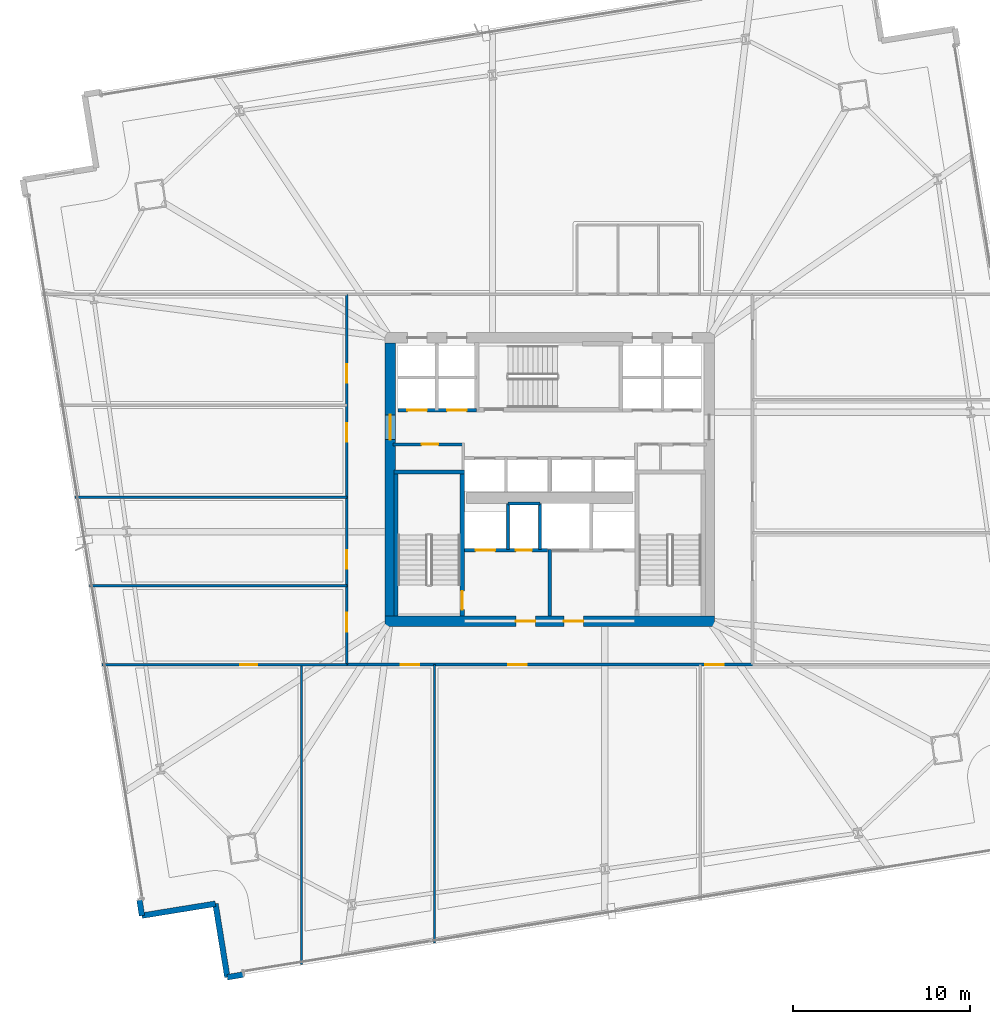
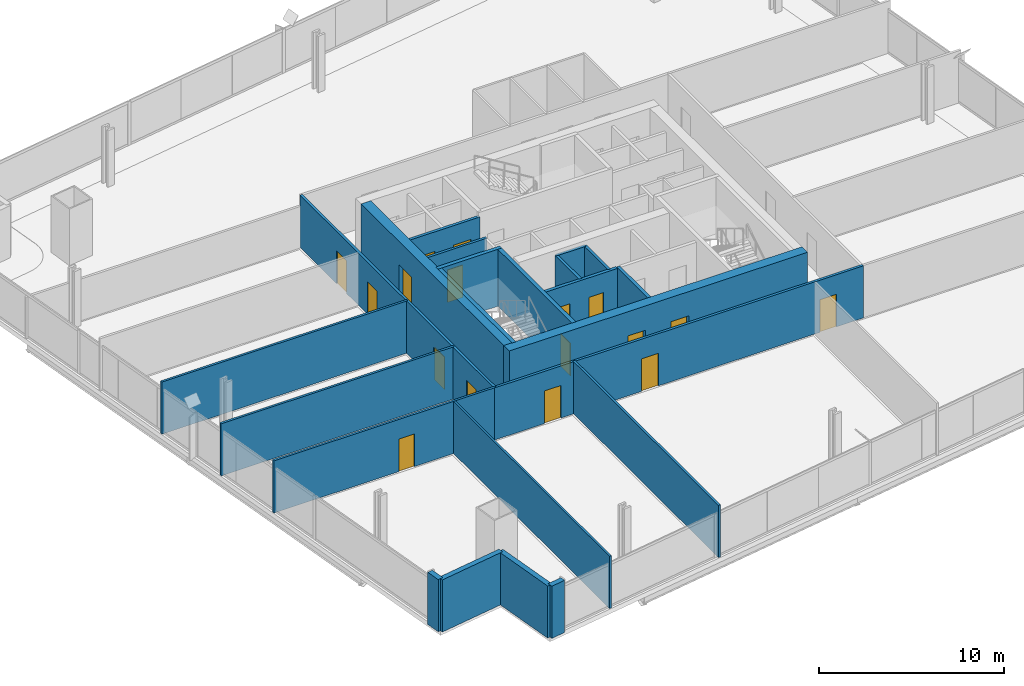
# One storey, part 25 of 33: 23 walls, 17 doors, 17 openings.
"""IFC4 building model written with IfcOpenShell, lengths in metres."""

from ifc_helpers import new_model, si_unit, direction, frame, frame_2d, origin, place, context, subcontext, project, spatial, rectangle, extrude, material, layer, layer_set, type_object, element, fill, save


model = new_model("IFC4")

# Units and contexts
model_context = context("Model", 3, precision=1e-05, world=origin(), true_north=direction((0.0, 1.0)))
body_context = subcontext(model_context, "Body", "Model", "MODEL_VIEW")
ifc_project = project(units=[si_unit("LENGTHUNIT", "METRE"), si_unit("AREAUNIT", "SQUARE_METRE"), si_unit("VOLUMEUNIT", "CUBIC_METRE"), si_unit("PLANEANGLEUNIT", "RADIAN"), si_unit("MASSUNIT", "GRAM", prefix="KILO")], contexts=[model_context])

# Site, building, storey
site_placement = place(None, origin())
site = spatial("IfcSite", under=ifc_project, at=site_placement, CompositionType="ELEMENT")
building_placement = place(site_placement, origin())
building = spatial("IfcBuilding", under=site, at=building_placement, Name="Haldenkirk Collegiate Tower", CompositionType="ELEMENT")
storey_placement = place(building_placement, frame((0.0, 0.0, 58.949951171875)))
storey = spatial("IfcBuildingStorey", under=building, at=storey_placement, Name="L13", CompositionType="ELEMENT", Elevation=58.949951171875)

# Wall, openings, doors
ifc_material_1 = material(Name="Concrete f'c 70 MPa", Category="concrete")
ifc_layer_1 = layer(ifc_material_1, 0.60009765625)
ifc_layer_set_1 = layer_set([ifc_layer_1], Name="Concrete f'c 70 MPa")
wall_type_1 = type_object("IfcWallType", Name="WL-CORE-600", PredefinedType="SHEAR", material=ifc_layer_set_1)
wall_1_placement = place(storey_placement, frame((26.699951171875, 18.0, 0.0), z_axis=(0.0, 0.0, 1.0), x_axis=(1.0, 0.0, 0.0)))
wall_1 = element("IfcWall", 1, at=wall_1_placement, inside=storey, type_object=wall_type_1, Name="L13 central core shear wall S", PredefinedType="SHEAR", context=body_context, shape_type="SweptSolid", body=[
    extrude(rectangle(XDim=18.60009765625, YDim=0.60009765625, at=frame_2d((9.300048828125, 0.0))), origin(), (0.0, 0.0, 1.0), 3.75),
])
opening_1_placement = place(wall_1_placement, frame((7.39990234375, 0.0, 0.0)))
opening_1 = element("IfcOpeningElement", 2, at=opening_1_placement, cuts=wall_1, Name="Opening D-02", PredefinedType="OPENING", context=body_context, shape_type="SweptSolid", body=[
    extrude(rectangle(XDim=1.10009765625, YDim=2.14990234375, at=frame_2d((0.550048828125, 1.074951171875))), frame((0.0, 0.31005859375, 0.0), z_axis=(0.0, -1.0, 0.0), x_axis=(1.0, 0.0, 0.0)), (0.0, 0.0, 1.0), 0.6201171875),
])
opening_2_placement = place(wall_1_placement, frame((10.10009765625, 0.0, 0.0)))
opening_2 = element("IfcOpeningElement", 3, at=opening_2_placement, cuts=wall_1, Name="Opening D-02", PredefinedType="OPENING", context=body_context, shape_type="SweptSolid", body=[
    extrude(rectangle(XDim=1.10009765625, YDim=2.14990234375, at=frame_2d((0.550048828125, 1.074951171875))), frame((0.0, 0.31005859375, 0.0), z_axis=(0.0, -1.0, 0.0), x_axis=(1.0, 0.0, 0.0)), (0.0, 0.0, 1.0), 0.6201171875),
])
ifc_material_2 = material(Name="Galvanized fire-rated hollow steel door", Category="steel")
ifc_layer_2 = layer(ifc_material_2, 0.06005859375)
ifc_layer_set_2 = layer_set([ifc_layer_2], Name="Galvanized fire-rated hollow steel door")
door_type_1 = type_object("IfcDoorType", Name="DR-STAIR-FD90-1100", OperationType="NOTDEFINED", PredefinedType="DOOR", material=ifc_layer_set_2)
door_1_placement = place(opening_1_placement, origin())
door_1 = element("IfcDoor", 4, at=door_1_placement, inside=storey, type_object=door_type_1, Name="L13 Firefighting Lobby 1 door", OperationType="SINGLE_SWING_LEFT", OverallHeight=2.14990234375, OverallWidth=1.10009765625, PredefinedType="DOOR", context=body_context, shape_type="SweptSolid", body=[
    extrude(rectangle(XDim=1.10009765625, YDim=2.14990234375, at=frame_2d((0.550048828125, 1.074951171875))), frame((0.0, 0.02490234375, 0.0), z_axis=(0.0, -1.0, 0.0), x_axis=(1.0, 0.0, 0.0)), (0.0, 0.0, 1.0), 0.050048828125),
])
fill(opening_1, door_1)
door_2_placement = place(opening_2_placement, origin())
door_2 = element("IfcDoor", 5, at=door_2_placement, inside=storey, type_object=door_type_1, Name="L13 Firefighting Lobby 2 door", OperationType="SINGLE_SWING_RIGHT", OverallHeight=2.14990234375, OverallWidth=1.10009765625, PredefinedType="DOOR", context=body_context, shape_type="SweptSolid", body=[
    extrude(rectangle(XDim=1.10009765625, YDim=2.14990234375, at=frame_2d((0.550048828125, 1.074951171875))), frame((0.0, 0.02490234375, 0.0), z_axis=(0.0, -1.0, 0.0), x_axis=(1.0, 0.0, 0.0)), (0.0, 0.0, 1.0), 0.050048828125),
])
fill(opening_2, door_2)

# Wall, opening, door
wall_2_placement = place(storey_placement, frame((27.0, 18.300048828125, 0.0), z_axis=(0.0, 0.0, 1.0), x_axis=(0.0, 1.0, 0.0)))
wall_2 = element("IfcWall", 6, at=wall_2_placement, inside=storey, type_object=wall_type_1, Name="L13 central core shear wall W", PredefinedType="SHEAR", context=body_context, shape_type="SweptSolid", body=[
    extrude(rectangle(XDim=15.39990234375, YDim=0.60009765625, at=frame_2d((7.699951171875, 0.0))), origin(), (0.0, 0.0, 1.0), 3.75),
])
opening_3_placement = place(wall_2_placement, frame((9.93994140625, 0.0, 0.0)))
opening_3 = element("IfcOpeningElement", 7, at=opening_3_placement, cuts=wall_2, Name="Opening D-03", PredefinedType="OPENING", context=body_context, shape_type="SweptSolid", body=[
    extrude(rectangle(XDim=1.39990234375, YDim=2.199951171875, at=frame_2d((0.699951171875, 1.10009765625))), frame((0.0, 0.31005859375, 0.0), z_axis=(0.0, -1.0, 0.0), x_axis=(1.0, 0.0, 0.0)), (0.0, 0.0, 1.0), 0.6201171875),
])
ifc_layer_3 = layer(ifc_material_2, 0.06005859375)
ifc_layer_set_3 = layer_set([ifc_layer_3], Name="Galvanized fire-rated hollow steel door")
door_type_2 = type_object("IfcDoorType", Name="DR-LOBBY-FD90-1400", OperationType="NOTDEFINED", PredefinedType="DOOR", material=ifc_layer_set_3)
door_3_placement = place(opening_3_placement, origin())
door_3 = element("IfcDoor", 8, at=door_3_placement, inside=storey, type_object=door_type_2, Name="L13 west lift lobby portal", OperationType="DOUBLE_DOOR_SINGLE_SWING", OverallHeight=2.199951171875, OverallWidth=1.39990234375, PredefinedType="DOOR", context=body_context, shape_type="SweptSolid", body=[
    extrude(rectangle(XDim=1.39990234375, YDim=2.199951171875, at=frame_2d((0.699951171875, 1.10009765625))), frame((0.0, 0.02490234375, 0.0), z_axis=(0.0, -1.0, 0.0), x_axis=(1.0, 0.0, 0.0)), (0.0, 0.0, 1.0), 0.050048828125),
])
fill(opening_3, door_3)

# Walls
ifc_material_3 = material(Name="Precast concrete f'c 40 MPa", Category="concrete")
ifc_layer_4 = layer(ifc_material_3, 0.320068359375)
ifc_layer_set_4 = layer_set([ifc_layer_4], Name="Precast concrete f'c 40 MPa")
wall_type_2 = type_object("IfcWallType", Name="WL-EXT-TWR-320", PredefinedType="STANDARD", material=ifc_layer_set_4)
wall_3_placement = place(storey_placement, frame((18.6962890625, -1.951171875, 0.0), z_axis=(0.0, 0.0, 1.0), x_axis=(-0.987152930745, -0.159778256721, 0.0)))
element("IfcWall", 9, at=wall_3_placement, inside=storey, type_object=wall_type_2, Name="L13 precast corner pier SR", PredefinedType="STANDARD", context=body_context, shape_type="SweptSolid", body=[
    extrude(rectangle(XDim=0.89990234375, YDim=0.320068359375, at=frame_2d((0.449951171875, 0.0))), origin(), (0.0, 0.0, 1.0), 3.43994140625),
])
wall_4_placement = place(storey_placement, frame((12.990478515625, 1.37939453125, 0.0), z_axis=(0.0, 0.0, 1.0), x_axis=(-0.160042584625, 0.987110110933, 0.0)))
element("IfcWall", 10, at=wall_4_placement, inside=storey, type_object=wall_type_2, Name="L13 precast corner pier WL", PredefinedType="STANDARD", context=body_context, shape_type="SweptSolid", body=[
    extrude(rectangle(XDim=0.900146484375, YDim=0.320068359375, at=frame_2d((0.4501953125, 0.0))), origin(), (0.0, 0.0, 1.0), 3.43994140625),
])
wall_5_placement = place(storey_placement, frame((17.13623046875, 2.051025390625, 0.0), z_axis=(0.0, 0.0, 1.0), x_axis=(-0.987130042681, -0.159919601167, 0.0)))
element("IfcWall", 11, at=wall_5_placement, inside=storey, type_object=wall_type_2, Name="L13 bronze precast notch wall 11", PredefinedType="STANDARD", context=body_context, shape_type="SweptSolid", body=[
    extrude(rectangle(XDim=4.19970703125, YDim=0.320068359375, at=frame_2d((2.099853515625, 0.0))), origin(), (0.0, 0.0, 1.0), 3.43994140625),
])
wall_6_placement = place(storey_placement, frame((17.807861328125, -2.094970703125, 0.0), z_axis=(0.0, 0.0, 1.0), x_axis=(-0.159910424973, 0.987131529222, 0.0)))
element("IfcWall", 12, at=wall_6_placement, inside=storey, type_object=wall_type_2, Name="L13 bronze precast notch wall 12", PredefinedType="STANDARD", context=body_context, shape_type="SweptSolid", body=[
    extrude(rectangle(XDim=4.199951171875, YDim=0.320068359375, at=frame_2d((2.10009765625, 0.0))), origin(), (0.0, 0.0, 1.0), 3.43994140625),
])

# Wall, opening, door
ifc_material_4 = material(Name="Acoustic fire-rated gypsum partition", Category="concrete")
ifc_layer_5 = layer(ifc_material_4, 0.159912109375)
ifc_layer_set_5 = layer_set([ifc_layer_5], Name="Acoustic fire-rated gypsum partition")
wall_type_3 = type_object("IfcWallType", Name="WL-INT-CORR-160", PredefinedType="PARTITIONING", material=ifc_layer_set_5)
wall_7_placement = place(storey_placement, frame((27.14990234375, 27.97998046875, 0.0), z_axis=(0.0, 0.0, 1.0), x_axis=(1.0, 0.0, 0.0)))
wall_7 = element("IfcWall", 13, at=wall_7_placement, inside=storey, type_object=wall_type_3, Name="L13 interior partition IW-L13-VCSW-N", PredefinedType="PARTITIONING", context=body_context, shape_type="SweptSolid", body=[
    extrude(rectangle(XDim=4.050048828125, YDim=0.159912109375, at=frame_2d((2.02490234375, 0.0))), origin(), (0.0, 0.0, 1.0), 3.43994140625),
])
opening_4_placement = place(wall_7_placement, frame((1.625, 0.0, 0.0)))
opening_4 = element("IfcOpeningElement", 14, at=opening_4_placement, cuts=wall_7, Name="Opening D-10", PredefinedType="OPENING", context=body_context, shape_type="SweptSolid", body=[
    extrude(rectangle(XDim=0.949951171875, YDim=2.14990234375, at=frame_2d((0.47509765625, 1.074951171875))), frame((0.0, 0.08984375, 0.0), z_axis=(0.0, -1.0, 0.0), x_axis=(1.0, 0.0, 0.0)), (0.0, 0.0, 1.0), 0.179931640625),
])
ifc_material_5 = material(Name="Solid-core architectural oak fire door", Category="wood")
ifc_layer_6 = layer(ifc_material_5, 0.06005859375)
ifc_layer_set_6 = layer_set([ifc_layer_6], Name="Solid-core architectural oak fire door")
door_type_3 = type_object("IfcDoorType", Name="DR-INT-FD60-950", OperationType="NOTDEFINED", PredefinedType="DOOR", material=ifc_layer_set_6)
door_4_placement = place(opening_4_placement, origin())
door_4 = element("IfcDoor", 15, at=door_4_placement, inside=storey, type_object=door_type_3, Name="L13 core tea pantry door", OperationType="SINGLE_SWING_LEFT", OverallHeight=2.14990234375, OverallWidth=0.949951171875, PredefinedType="DOOR", context=body_context, shape_type="SweptSolid", body=[
    extrude(rectangle(XDim=0.949951171875, YDim=2.14990234375, at=frame_2d((0.47509765625, 1.074951171875))), frame((0.0, 0.02490234375, 0.0), z_axis=(0.0, -1.0, 0.0), x_axis=(1.0, 0.0, 0.0)), (0.0, 0.0, 1.0), 0.050048828125),
])
fill(opening_4, door_4)

# Wall, openings, doors
wall_8_placement = place(storey_placement, frame((24.5, 15.550048828125, 0.0), z_axis=(0.0, 0.0, 1.0), x_axis=(1.0, 0.0, 0.0)))
wall_8 = element("IfcWall", 16, at=wall_8_placement, inside=storey, type_object=wall_type_3, Name="L13 interior partition IW-L13-CS", PredefinedType="PARTITIONING", context=body_context, shape_type="SweptSolid", body=[
    extrude(rectangle(XDim=23.0, YDim=0.159912109375, at=frame_2d((11.5, 0.0))), origin(), (0.0, 0.0, 1.0), 3.43994140625),
])
opening_5_placement = place(wall_8_placement, frame((3.10107421875, 0.0, 0.0)))
opening_5 = element("IfcOpeningElement", 17, at=opening_5_placement, cuts=wall_8, Name="Opening D-09", PredefinedType="OPENING", context=body_context, shape_type="SweptSolid", body=[
    extrude(rectangle(XDim=1.050048828125, YDim=2.14990234375, at=frame_2d((0.52490234375, 1.074951171875))), frame((0.0, 0.08984375, 0.0), z_axis=(0.0, -1.0, 0.0), x_axis=(1.0, 0.0, 0.0)), (0.0, 0.0, 1.0), 0.179931640625),
])
opening_6_placement = place(wall_8_placement, frame((9.155029296875, 0.0, 0.0)))
opening_6 = element("IfcOpeningElement", 18, at=opening_6_placement, cuts=wall_8, Name="Opening D-09", PredefinedType="OPENING", context=body_context, shape_type="SweptSolid", body=[
    extrude(rectangle(XDim=1.050048828125, YDim=2.14990234375, at=frame_2d((0.52490234375, 1.074951171875))), frame((0.0, 0.08984375, 0.0), z_axis=(0.0, -1.0, 0.0), x_axis=(1.0, 0.0, 0.0)), (0.0, 0.0, 1.0), 0.179931640625),
])
opening_7_placement = place(wall_8_placement, frame((20.280029296875, 0.0, 0.0)))
opening_7 = element("IfcOpeningElement", 19, at=opening_7_placement, cuts=wall_8, Name="Opening D-09", PredefinedType="OPENING", context=body_context, shape_type="SweptSolid", body=[
    extrude(rectangle(XDim=1.050048828125, YDim=2.14990234375, at=frame_2d((0.52490234375, 1.074951171875))), frame((0.0, 0.08984375, 0.0), z_axis=(0.0, -1.0, 0.0), x_axis=(1.0, 0.0, 0.0)), (0.0, 0.0, 1.0), 0.179931640625),
])
ifc_layer_7 = layer(ifc_material_5, 0.06005859375)
ifc_layer_set_7 = layer_set([ifc_layer_7], Name="Solid-core architectural oak fire door")
door_type_4 = type_object("IfcDoorType", Name="DR-INT-FD60-1050", OperationType="NOTDEFINED", PredefinedType="DOOR", material=ifc_layer_set_7)
door_5_placement = place(opening_5_placement, origin())
door_5 = element("IfcDoor", 20, at=door_5_placement, inside=storey, type_object=door_type_4, Name="L13 Student Reading Lounge 2 door", OperationType="SINGLE_SWING_RIGHT", OverallHeight=2.14990234375, OverallWidth=1.050048828125, PredefinedType="DOOR", context=body_context, shape_type="SweptSolid", body=[
    extrude(rectangle(XDim=1.050048828125, YDim=2.14990234375, at=frame_2d((0.52490234375, 1.074951171875))), frame((0.0, 0.02490234375, 0.0), z_axis=(0.0, -1.0, 0.0), x_axis=(1.0, 0.0, 0.0)), (0.0, 0.0, 1.0), 0.050048828125),
])
fill(opening_5, door_5)
door_6_placement = place(opening_6_placement, origin())
door_6 = element("IfcDoor", 21, at=door_6_placement, inside=storey, type_object=door_type_4, Name="L13 Graduate Study Lounge 3 door", OperationType="SINGLE_SWING_LEFT", OverallHeight=2.14990234375, OverallWidth=1.050048828125, PredefinedType="DOOR", context=body_context, shape_type="SweptSolid", body=[
    extrude(rectangle(XDim=1.050048828125, YDim=2.14990234375, at=frame_2d((0.52490234375, 1.074951171875))), frame((0.0, 0.02490234375, 0.0), z_axis=(0.0, -1.0, 0.0), x_axis=(1.0, 0.0, 0.0)), (0.0, 0.0, 1.0), 0.050048828125),
])
fill(opening_6, door_6)
door_7_placement = place(opening_7_placement, origin())
door_7 = element("IfcDoor", 22, at=door_7_placement, inside=storey, type_object=door_type_4, Name="L13 Faculty Club Lounge 4 door", OperationType="SINGLE_SWING_RIGHT", OverallHeight=2.14990234375, OverallWidth=1.050048828125, PredefinedType="DOOR", context=body_context, shape_type="SweptSolid", body=[
    extrude(rectangle(XDim=1.050048828125, YDim=2.14990234375, at=frame_2d((0.52490234375, 1.074951171875))), frame((0.0, 0.02490234375, 0.0), z_axis=(0.0, -1.0, 0.0), x_axis=(1.0, 0.0, 0.0)), (0.0, 0.0, 1.0), 0.050048828125),
])
fill(opening_7, door_7)

wall_9_placement = place(storey_placement, frame((24.550048828125, 15.550048828125, 0.0), z_axis=(0.0, 0.0, 1.0), x_axis=(0.0, 1.0, 0.0)))
wall_9 = element("IfcWall", 23, at=wall_9_placement, inside=storey, type_object=wall_type_3, Name="L13 interior partition IW-L13-CW", PredefinedType="PARTITIONING", context=body_context, shape_type="SweptSolid", body=[
    extrude(rectangle(XDim=20.89990234375, YDim=0.159912109375, at=frame_2d((10.449951171875, 0.0))), origin(), (0.0, 0.0, 1.0), 3.43994140625),
])
opening_8_placement = place(wall_9_placement, frame((1.865966796875, 0.0, 0.0)))
opening_8 = element("IfcOpeningElement", 24, at=opening_8_placement, cuts=wall_9, Name="Opening D-09", PredefinedType="OPENING", context=body_context, shape_type="SweptSolid", body=[
    extrude(rectangle(XDim=1.050048828125, YDim=2.14990234375, at=frame_2d((0.52490234375, 1.074951171875))), frame((0.0, 0.08984375, 0.0), z_axis=(0.0, -1.0, 0.0), x_axis=(1.0, 0.0, 0.0)), (0.0, 0.0, 1.0), 0.179931640625),
])
opening_9_placement = place(wall_9_placement, frame((5.405029296875, 0.0, 0.0)))
opening_9 = element("IfcOpeningElement", 25, at=opening_9_placement, cuts=wall_9, Name="Opening D-09", PredefinedType="OPENING", context=body_context, shape_type="SweptSolid", body=[
    extrude(rectangle(XDim=1.050048828125, YDim=2.14990234375, at=frame_2d((0.52490234375, 1.074951171875))), frame((0.0, 0.08984375, 0.0), z_axis=(0.0, -1.0, 0.0), x_axis=(1.0, 0.0, 0.0)), (0.0, 0.0, 1.0), 0.179931640625),
])
opening_10_placement = place(wall_9_placement, frame((12.5810546875, 0.0, 0.0)))
opening_10 = element("IfcOpeningElement", 26, at=opening_10_placement, cuts=wall_9, Name="Opening D-09", PredefinedType="OPENING", context=body_context, shape_type="SweptSolid", body=[
    extrude(rectangle(XDim=1.050048828125, YDim=2.14990234375, at=frame_2d((0.52490234375, 1.074951171875))), frame((0.0, 0.08984375, 0.0), z_axis=(0.0, -1.0, 0.0), x_axis=(1.0, 0.0, 0.0)), (0.0, 0.0, 1.0), 0.179931640625),
])
opening_11_placement = place(wall_9_placement, frame((15.89892578125, 0.0, 0.0)))
opening_11 = element("IfcOpeningElement", 27, at=opening_11_placement, cuts=wall_9, Name="Opening D-09", PredefinedType="OPENING", context=body_context, shape_type="SweptSolid", body=[
    extrude(rectangle(XDim=1.050048828125, YDim=2.14990234375, at=frame_2d((0.52490234375, 1.074951171875))), frame((0.0, 0.08984375, 0.0), z_axis=(0.0, -1.0, 0.0), x_axis=(1.0, 0.0, 0.0)), (0.0, 0.0, 1.0), 0.179931640625),
])
door_8_placement = place(opening_8_placement, origin())
door_8 = element("IfcDoor", 28, at=door_8_placement, inside=storey, type_object=door_type_4, Name="L13 Scholar Lounge 6 door", OperationType="SINGLE_SWING_RIGHT", OverallHeight=2.14990234375, OverallWidth=1.050048828125, PredefinedType="DOOR", context=body_context, shape_type="SweptSolid", body=[
    extrude(rectangle(XDim=1.050048828125, YDim=2.14990234375, at=frame_2d((0.52490234375, 1.074951171875))), frame((0.0, 0.02490234375, 0.0), z_axis=(0.0, -1.0, 0.0), x_axis=(1.0, 0.0, 0.0)), (0.0, 0.0, 1.0), 0.050048828125),
])
fill(opening_8, door_8)
door_9_placement = place(opening_9_placement, origin())
door_9 = element("IfcDoor", 29, at=door_9_placement, inside=storey, type_object=door_type_4, Name="L13 Collegiate Commons Lounge 7 door", OperationType="SINGLE_SWING_LEFT", OverallHeight=2.14990234375, OverallWidth=1.050048828125, PredefinedType="DOOR", context=body_context, shape_type="SweptSolid", body=[
    extrude(rectangle(XDim=1.050048828125, YDim=2.14990234375, at=frame_2d((0.52490234375, 1.074951171875))), frame((0.0, 0.02490234375, 0.0), z_axis=(0.0, -1.0, 0.0), x_axis=(1.0, 0.0, 0.0)), (0.0, 0.0, 1.0), 0.050048828125),
])
fill(opening_9, door_9)
door_10_placement = place(opening_10_placement, origin())
door_10 = element("IfcDoor", 30, at=door_10_placement, inside=storey, type_object=door_type_4, Name="L13 Student Reading Lounge 8 door", OperationType="SINGLE_SWING_RIGHT", OverallHeight=2.14990234375, OverallWidth=1.050048828125, PredefinedType="DOOR", context=body_context, shape_type="SweptSolid", body=[
    extrude(rectangle(XDim=1.050048828125, YDim=2.14990234375, at=frame_2d((0.52490234375, 1.074951171875))), frame((0.0, 0.02490234375, 0.0), z_axis=(0.0, -1.0, 0.0), x_axis=(1.0, 0.0, 0.0)), (0.0, 0.0, 1.0), 0.050048828125),
])
fill(opening_10, door_10)
door_11_placement = place(opening_11_placement, origin())
door_11 = element("IfcDoor", 31, at=door_11_placement, inside=storey, type_object=door_type_4, Name="L13 Graduate Study Lounge 9 door", OperationType="SINGLE_SWING_LEFT", OverallHeight=2.14990234375, OverallWidth=1.050048828125, PredefinedType="DOOR", context=body_context, shape_type="SweptSolid", body=[
    extrude(rectangle(XDim=1.050048828125, YDim=2.14990234375, at=frame_2d((0.52490234375, 1.074951171875))), frame((0.0, 0.02490234375, 0.0), z_axis=(0.0, -1.0, 0.0), x_axis=(1.0, 0.0, 0.0)), (0.0, 0.0, 1.0), 0.050048828125),
])
fill(opening_11, door_11)

# Wall, opening, door
ifc_layer_8 = layer(ifc_material_4, 0.139892578125)
ifc_layer_set_8 = layer_set([ifc_layer_8], Name="Acoustic fire-rated gypsum partition")
wall_type_4 = type_object("IfcWallType", Name="WL-INT-DIV-140", PredefinedType="PARTITIONING", material=ifc_layer_set_8)
wall_10_placement = place(storey_placement, frame((10.73583984375, 15.550048828125, 0.0), z_axis=(0.0, 0.0, 1.0), x_axis=(1.0, 0.0, 0.0)))
wall_10 = element("IfcWall", 32, at=wall_10_placement, inside=storey, type_object=wall_type_4, Name="L13 interior partition IW-L13-BWS", PredefinedType="PARTITIONING", context=body_context, shape_type="SweptSolid", body=[
    extrude(rectangle(XDim=13.814208984375, YDim=0.139892578125, at=frame_2d((6.9072265625, 0.0))), origin(), (0.0, 0.0, 1.0), 3.43994140625),
])
opening_12_placement = place(wall_10_placement, frame((7.811279296875, 0.0, 0.0)))
opening_12 = element("IfcOpeningElement", 33, at=opening_12_placement, cuts=wall_10, Name="Opening D-12", PredefinedType="OPENING", context=body_context, shape_type="SweptSolid", body=[
    extrude(rectangle(XDim=0.949951171875, YDim=2.14990234375, at=frame_2d((0.47509765625, 1.074951171875))), frame((0.0, 0.079833984375, 0.0), z_axis=(0.0, -1.0, 0.0), x_axis=(1.0, 0.0, 0.0)), (0.0, 0.0, 1.0), 0.159912109375),
])
ifc_layer_9 = layer(ifc_material_5, 0.06005859375)
ifc_layer_set_9 = layer_set([ifc_layer_9], Name="Solid-core architectural oak fire door")
door_type_5 = type_object("IfcDoorType", Name="DR-INT-STD-950", OperationType="NOTDEFINED", PredefinedType="DOOR", material=ifc_layer_set_9)
door_12_placement = place(opening_12_placement, origin())
door_12 = element("IfcDoor", 34, at=door_12_placement, inside=storey, type_object=door_type_5, Name="L13 Collegiate Commons Lounge 1 door", OperationType="SINGLE_SWING_LEFT", OverallHeight=2.14990234375, OverallWidth=0.949951171875, PredefinedType="DOOR", context=body_context, shape_type="SweptSolid", body=[
    extrude(rectangle(XDim=0.949951171875, YDim=2.14990234375, at=frame_2d((0.47509765625, 1.074951171875))), frame((0.0, 0.02490234375, 0.0), z_axis=(0.0, -1.0, 0.0), x_axis=(1.0, 0.0, 0.0)), (0.0, 0.0, 1.0), 0.050048828125),
])
fill(opening_12, door_12)

# Walls
wall_11_placement = place(storey_placement, frame((29.5, -0.16064453125, 0.0), z_axis=(0.0, 0.0, 1.0), x_axis=(0.0, 1.0, 0.0)))
element("IfcWall", 35, at=wall_11_placement, inside=storey, type_object=wall_type_4, Name="L13 interior partition IW-L13-RS2", PredefinedType="PARTITIONING", context=body_context, shape_type="SweptSolid", body=[
    extrude(rectangle(XDim=15.710693359375, YDim=0.139892578125, at=frame_2d((7.85546875, 0.0))), origin(), (0.0, 0.0, 1.0), 3.43994140625),
])
wall_12_placement = place(storey_placement, frame((10.01513671875, 20.0, 0.0), z_axis=(0.0, 0.0, 1.0), x_axis=(1.0, 0.0, 0.0)))
element("IfcWall", 36, at=wall_12_placement, inside=storey, type_object=wall_type_4, Name="L13 interior partition IW-L13-RW1", PredefinedType="PARTITIONING", context=body_context, shape_type="SweptSolid", body=[
    extrude(rectangle(XDim=14.534912109375, YDim=0.139892578125, at=frame_2d((7.267578125, 0.0))), origin(), (0.0, 0.0, 1.0), 3.43994140625),
])
wall_13_placement = place(storey_placement, frame((9.205078125, 25.0, 0.0), z_axis=(0.0, 0.0, 1.0), x_axis=(1.0, 0.0, 0.0)))
element("IfcWall", 37, at=wall_13_placement, inside=storey, type_object=wall_type_4, Name="L13 interior partition IW-L13-RW2", PredefinedType="PARTITIONING", context=body_context, shape_type="SweptSolid", body=[
    extrude(rectangle(XDim=15.344970703125, YDim=0.139892578125, at=frame_2d((7.67236328125, 0.0))), origin(), (0.0, 0.0, 1.0), 3.43994140625),
])
ifc_material_6 = material(Name="Fire-rated gypsum shaftboard assembly", Category="concrete")
ifc_layer_10 = layer(ifc_material_6, 0.179931640625)
ifc_layer_set_10 = layer_set([ifc_layer_10], Name="Fire-rated gypsum shaftboard assembly")
wall_type_5 = type_object("IfcWallType", Name="WL-INT-SHAFT-180", PredefinedType="PARTITIONING", material=ifc_layer_set_10)
for number, where, z_axis, x_axis, name in (
    (38, (33.64990234375, 22.050048828125, 0.0), (0.0, 0.0, 1.0), (0.0, 1.0, 0.0), "L13 interior partition IW-L13-FL1E"),
    (39, (35.449951171875, 22.050048828125, 0.0), (0.0, 0.0, 1.0), (0.0, 1.0, 0.0), "L13 interior partition IW-L13-GL1W"),
):
    element("IfcWall", number, at=place(storey_placement, frame(where, z_axis=z_axis, x_axis=x_axis)), inside=storey, type_object=wall_type_5, Name=name, PredefinedType="PARTITIONING", context=body_context, shape_type="SweptSolid", body=[
        extrude(rectangle(XDim=2.599853515625, YDim=0.179931640625, at=frame_2d((1.2998046875, 0.0))), origin(), (0.0, 0.0, 1.0), 3.43994140625),
    ])
wall_14_placement = place(storey_placement, frame((33.64990234375, 24.64990234375, 0.0), z_axis=(0.0, 0.0, 1.0), x_axis=(1.0, 0.0, 0.0)))
element("IfcWall", 40, at=wall_14_placement, inside=storey, type_object=wall_type_5, Name="L13 interior partition IW-L13-RSRN", PredefinedType="PARTITIONING", context=body_context, shape_type="SweptSolid", body=[
    extrude(rectangle(XDim=1.800048828125, YDim=0.179931640625, at=frame_2d((0.89990234375, 0.0))), origin(), (0.0, 0.0, 1.0), 3.43994140625),
])

# Wall, openings, doors
wall_15_placement = place(storey_placement, frame((27.449951171875, 29.89990234375, 0.0), z_axis=(0.0, 0.0, 1.0), x_axis=(1.0, 0.0, 0.0)))
wall_15 = element("IfcWall", 41, at=wall_15_placement, inside=storey, type_object=wall_type_5, Name="L13 interior partition IW-L13-PLS", PredefinedType="PARTITIONING", context=body_context, shape_type="SweptSolid", body=[
    extrude(rectangle(XDim=4.429931640625, YDim=0.179931640625, at=frame_2d((2.21484375, 0.0))), origin(), (0.0, 0.0, 1.0), 3.43994140625),
])
opening_13_placement = place(wall_15_placement, frame((0.514892578125, 0.0, 0.0)))
opening_13 = element("IfcOpeningElement", 42, at=opening_13_placement, cuts=wall_15, Name="Opening LD-11", PredefinedType="OPENING", context=body_context, shape_type="SweptSolid", body=[
    extrude(rectangle(XDim=1.10009765625, YDim=2.14990234375, at=frame_2d((0.550048828125, 1.074951171875))), frame((0.0, 0.099853515625, 0.0), z_axis=(0.0, -1.0, 0.0), x_axis=(1.0, 0.0, 0.0)), (0.0, 0.0, 1.0), 0.199951171875),
])
opening_14_placement = place(wall_15_placement, frame((2.764892578125, 0.0, 0.0)))
opening_14 = element("IfcOpeningElement", 43, at=opening_14_placement, cuts=wall_15, Name="Opening LD-11", PredefinedType="OPENING", context=body_context, shape_type="SweptSolid", body=[
    extrude(rectangle(XDim=1.10009765625, YDim=2.14990234375, at=frame_2d((0.550048828125, 1.074951171875))), frame((0.0, 0.099853515625, 0.0), z_axis=(0.0, -1.0, 0.0), x_axis=(1.0, 0.0, 0.0)), (0.0, 0.0, 1.0), 0.199951171875),
])
ifc_material_7 = material(Name="Brushed architectural stainless steel", Category="steel")
ifc_layer_11 = layer(ifc_material_7, 0.06005859375)
ifc_layer_set_11 = layer_set([ifc_layer_11], Name="Brushed architectural stainless steel")
door_type_6 = type_object("IfcDoorType", Name="LD-PASS-1100", OperationType="NOTDEFINED", PredefinedType="DOOR", material=ifc_layer_set_11)
door_13_placement = place(opening_13_placement, origin())
door_13 = element("IfcDoor", 44, at=door_13_placement, inside=storey, type_object=door_type_6, Name="L13 Elevator PL1 sliding landing door", OperationType="SLIDING_TO_LEFT", OverallHeight=2.14990234375, OverallWidth=1.10009765625, PredefinedType="DOOR", context=body_context, shape_type="SweptSolid", body=[
    extrude(rectangle(XDim=1.10009765625, YDim=2.14990234375, at=frame_2d((0.550048828125, 1.074951171875))), frame((0.0, 0.02490234375, 0.0), z_axis=(0.0, -1.0, 0.0), x_axis=(1.0, 0.0, 0.0)), (0.0, 0.0, 1.0), 0.050048828125),
])
fill(opening_13, door_13)
door_14_placement = place(opening_14_placement, origin())
door_14 = element("IfcDoor", 45, at=door_14_placement, inside=storey, type_object=door_type_6, Name="L13 Elevator PL2 sliding landing door", OperationType="SLIDING_TO_LEFT", OverallHeight=2.14990234375, OverallWidth=1.10009765625, PredefinedType="DOOR", context=body_context, shape_type="SweptSolid", body=[
    extrude(rectangle(XDim=1.10009765625, YDim=2.14990234375, at=frame_2d((0.550048828125, 1.074951171875))), frame((0.0, 0.02490234375, 0.0), z_axis=(0.0, -1.0, 0.0), x_axis=(1.0, 0.0, 0.0)), (0.0, 0.0, 1.0), 0.050048828125),
])
fill(opening_14, door_14)

# Wall
ifc_layer_12 = layer(ifc_material_6, 0.199951171875)
ifc_layer_set_12 = layer_set([ifc_layer_12], Name="Fire-rated gypsum shaftboard assembly")
wall_type_6 = type_object("IfcWallType", Name="WL-INT-SHAFT-200", PredefinedType="PARTITIONING", material=ifc_layer_set_12)
wall_16_placement = place(storey_placement, frame((36.0, 18.280029296875, 0.0), z_axis=(0.0, 0.0, 1.0), x_axis=(0.0, 1.0, 0.0)))
element("IfcWall", 46, at=wall_16_placement, inside=storey, type_object=wall_type_6, Name="L13 interior partition IW-L13-FFLM", PredefinedType="PARTITIONING", context=body_context, shape_type="SweptSolid", body=[
    extrude(rectangle(XDim=3.77001953125, YDim=0.199951171875, at=frame_2d((1.885009765625, 0.0))), origin(), (0.0, 0.0, 1.0), 3.43994140625),
])

# Wall, openings, doors
wall_17_placement = place(storey_placement, frame((31.18994140625, 22.0, 0.0), z_axis=(0.0, 0.0, 1.0), x_axis=(1.0, 0.0, 0.0)))
wall_17 = element("IfcWall", 47, at=wall_17_placement, inside=storey, type_object=wall_type_6, Name="L13 interior partition IW-L13-FFL1N", PredefinedType="PARTITIONING", context=body_context, shape_type="SweptSolid", body=[
    extrude(rectangle(XDim=4.68994140625, YDim=0.199951171875, at=frame_2d((2.344970703125, 0.0))), origin(), (0.0, 0.0, 1.0), 3.43994140625),
])
opening_15_placement = place(wall_17_placement, frame((2.909912109375, 0.0, 0.0)))
opening_15 = element("IfcOpeningElement", 48, at=opening_15_placement, cuts=wall_17, Name="Opening D-06", PredefinedType="OPENING", context=body_context, shape_type="SweptSolid", body=[
    extrude(rectangle(XDim=0.89990234375, YDim=2.14990234375, at=frame_2d((0.449951171875, 1.074951171875))), frame((0.0, 0.10986328125, 0.0), z_axis=(0.0, -1.0, 0.0), x_axis=(1.0, 0.0, 0.0)), (0.0, 0.0, 1.0), 0.219970703125),
])
opening_16_placement = place(wall_17_placement, frame((0.635009765625, 0.0, 0.0)))
opening_16 = element("IfcOpeningElement", 49, at=opening_16_placement, cuts=wall_17, Name="Opening LD-12", PredefinedType="OPENING", context=body_context, shape_type="SweptSolid", body=[
    extrude(rectangle(XDim=1.10009765625, YDim=2.14990234375, at=frame_2d((0.550048828125, 1.074951171875))), frame((0.0, 0.10986328125, 0.0), z_axis=(0.0, -1.0, 0.0), x_axis=(1.0, 0.0, 0.0)), (0.0, 0.0, 1.0), 0.219970703125),
])
ifc_layer_13 = layer(ifc_material_2, 0.06005859375)
ifc_layer_set_13 = layer_set([ifc_layer_13], Name="Galvanized fire-rated hollow steel door")
door_type_7 = type_object("IfcDoorType", Name="DR-INT-FD90-900", OperationType="NOTDEFINED", PredefinedType="DOOR", material=ifc_layer_set_13)
door_15_placement = place(opening_15_placement, origin())
door_15 = element("IfcDoor", 50, at=door_15_placement, inside=storey, type_object=door_type_7, Name="L13 electrical riser door", OperationType="SINGLE_SWING_LEFT", OverallHeight=2.14990234375, OverallWidth=0.89990234375, PredefinedType="DOOR", context=body_context, shape_type="SweptSolid", body=[
    extrude(rectangle(XDim=0.89990234375, YDim=2.14990234375, at=frame_2d((0.449951171875, 1.074951171875))), frame((0.0, 0.02490234375, 0.0), z_axis=(0.0, -1.0, 0.0), x_axis=(1.0, 0.0, 0.0)), (0.0, 0.0, 1.0), 0.050048828125),
])
fill(opening_15, door_15)
ifc_layer_14 = layer(ifc_material_7, 0.06005859375)
ifc_layer_set_14 = layer_set([ifc_layer_14], Name="Brushed architectural stainless steel")
door_type_8 = type_object("IfcDoorType", Name="LD-FIRE-1100", OperationType="NOTDEFINED", PredefinedType="DOOR", material=ifc_layer_set_14)
door_16_placement = place(opening_16_placement, origin())
door_16 = element("IfcDoor", 51, at=door_16_placement, inside=storey, type_object=door_type_8, Name="L13 Elevator FL1 sliding landing door", OperationType="SLIDING_TO_LEFT", OverallHeight=2.14990234375, OverallWidth=1.10009765625, PredefinedType="DOOR", context=body_context, shape_type="SweptSolid", body=[
    extrude(rectangle(XDim=1.10009765625, YDim=2.14990234375, at=frame_2d((0.550048828125, 1.074951171875))), frame((0.0, 0.02490234375, 0.0), z_axis=(0.0, -1.0, 0.0), x_axis=(1.0, 0.0, 0.0)), (0.0, 0.0, 1.0), 0.050048828125),
])
fill(opening_16, door_16)

# Wall
ifc_layer_15 = layer(ifc_material_4, 0.1201171875)
ifc_layer_set_15 = layer_set([ifc_layer_15], Name="Acoustic fire-rated gypsum partition")
wall_type_7 = type_object("IfcWallType", Name="WL-INT-WET-120", PredefinedType="PARTITIONING", material=ifc_layer_set_15)
wall_18_placement = place(storey_placement, frame((22.0, -1.37548828125, 0.0), z_axis=(0.0, 0.0, 1.0), x_axis=(0.0, 1.0, 0.0)))
element("IfcWall", 52, at=wall_18_placement, inside=storey, type_object=wall_type_7, Name="L13 interior partition IW-L13-RS1", PredefinedType="PARTITIONING", context=body_context, shape_type="SweptSolid", body=[
    extrude(rectangle(XDim=16.925537109375, YDim=0.1201171875, at=frame_2d((8.462890625, 0.0))), origin(), (0.0, 0.0, 1.0), 3.43994140625),
])

# Wall, opening, door
ifc_material_8 = material(Name="Concrete f'c 55 MPa", Category="concrete")
ifc_layer_16 = layer(ifc_material_8, 0.239990234375)
ifc_layer_set_16 = layer_set([ifc_layer_16], Name="Concrete f'c 55 MPa")
wall_type_8 = type_object("IfcWallType", Name="WL-SHAFT-240", PredefinedType="SHEAR", material=ifc_layer_set_16)
wall_19_placement = place(storey_placement, frame((31.070068359375, 18.280029296875, 0.0), z_axis=(0.0, 0.0, 1.0), x_axis=(0.0, 1.0, 0.0)))
wall_19 = element("IfcWall", 53, at=wall_19_placement, inside=storey, type_object=wall_type_8, Name="L13 stair shaft shear wall SW-L13-ST1E", PredefinedType="SHEAR", context=body_context, shape_type="SweptSolid", body=[
    extrude(rectangle(XDim=8.260009765625, YDim=0.239990234375, at=frame_2d((4.1298828125, 0.0))), origin(), (0.0, 0.0, 1.0), 3.75),
])
opening_17_placement = place(wall_19_placement, frame((0.364990234375, 0.0, 0.0)))
opening_17 = element("IfcOpeningElement", 54, at=opening_17_placement, cuts=wall_19, Name="Opening D-01", PredefinedType="OPENING", context=body_context, shape_type="SweptSolid", body=[
    extrude(rectangle(XDim=1.050048828125, YDim=2.14990234375, at=frame_2d((0.52490234375, 1.074951171875))), frame((0.0, 0.1298828125, 0.0), z_axis=(0.0, -1.0, 0.0), x_axis=(1.0, 0.0, 0.0)), (0.0, 0.0, 1.0), 0.260009765625),
])
ifc_layer_17 = layer(ifc_material_2, 0.06005859375)
ifc_layer_set_17 = layer_set([ifc_layer_17], Name="Galvanized fire-rated hollow steel door")
door_type_9 = type_object("IfcDoorType", Name="DR-STAIR-FD90-1050", OperationType="NOTDEFINED", PredefinedType="DOOR", material=ifc_layer_set_17)
door_17_placement = place(opening_17_placement, origin())
door_17 = element("IfcDoor", 55, at=door_17_placement, inside=storey, type_object=door_type_9, Name="L13 Stair 1 door", OperationType="SINGLE_SWING_LEFT", OverallHeight=2.14990234375, OverallWidth=1.050048828125, PredefinedType="DOOR", context=body_context, shape_type="SweptSolid", body=[
    extrude(rectangle(XDim=1.050048828125, YDim=2.14990234375, at=frame_2d((0.52490234375, 1.074951171875))), frame((0.0, 0.02490234375, 0.0), z_axis=(0.0, -1.0, 0.0), x_axis=(1.0, 0.0, 0.0)), (0.0, 0.0, 1.0), 0.050048828125),
])
fill(opening_17, door_17)

# Walls
wall_20_placement = place(storey_placement, frame((27.2099609375, 26.419921875, 0.0), z_axis=(0.0, 0.0, 1.0), x_axis=(1.0, 0.0, 0.0)))
element("IfcWall", 56, at=wall_20_placement, inside=storey, type_object=wall_type_8, Name="L13 stair shaft shear wall SW-L13-ST1N", PredefinedType="SHEAR", context=body_context, shape_type="SweptSolid", body=[
    extrude(rectangle(XDim=3.97998046875, YDim=0.239990234375, at=frame_2d((1.989990234375, 0.0))), origin(), (0.0, 0.0, 1.0), 3.75),
])
wall_21_placement = place(storey_placement, frame((27.330078125, 18.280029296875, 0.0), z_axis=(0.0, 0.0, 1.0), x_axis=(0.0, 1.0, 0.0)))
element("IfcWall", 57, at=wall_21_placement, inside=storey, type_object=wall_type_8, Name="L13 stair shaft shear wall SW-L13-ST1W", PredefinedType="SHEAR", context=body_context, shape_type="SweptSolid", body=[
    extrude(rectangle(XDim=8.260009765625, YDim=0.239990234375, at=frame_2d((4.1298828125, 0.0))), origin(), (0.0, 0.0, 1.0), 3.75),
])

save(model, "model.ifc")
